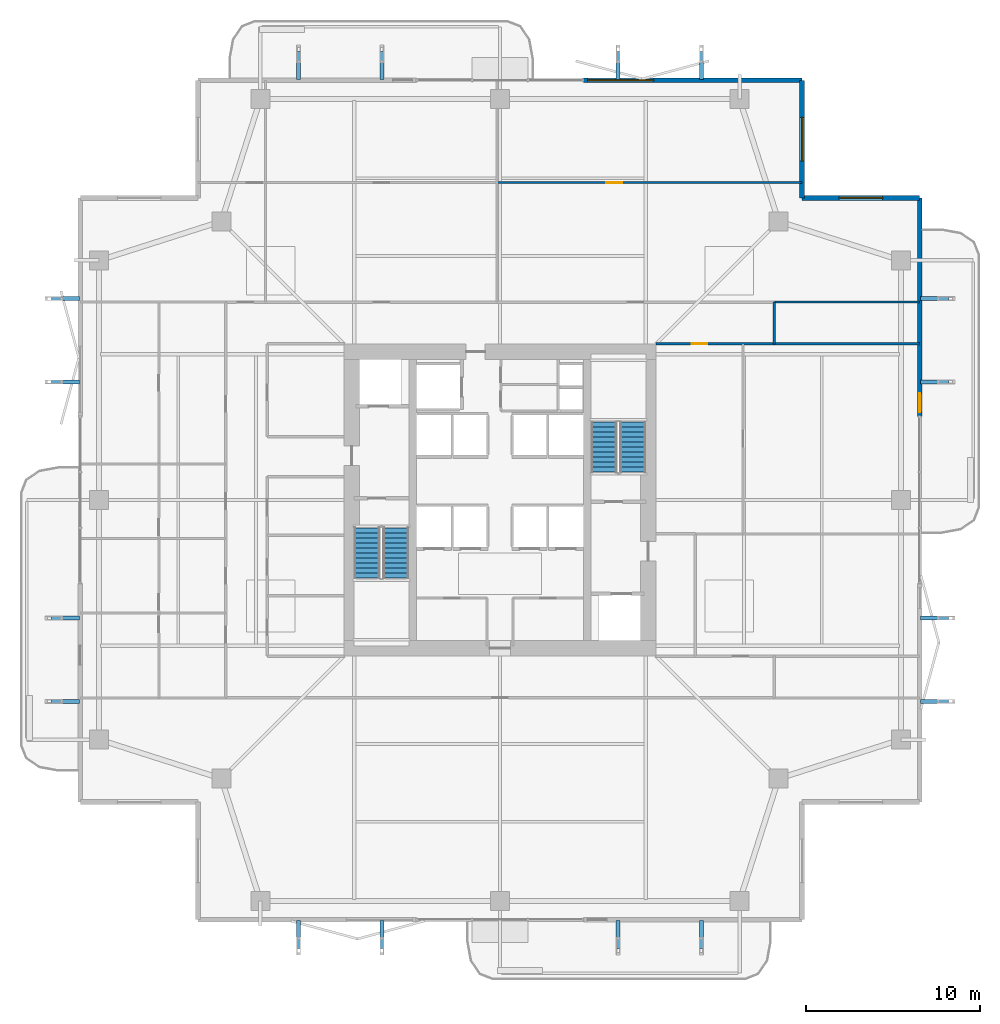
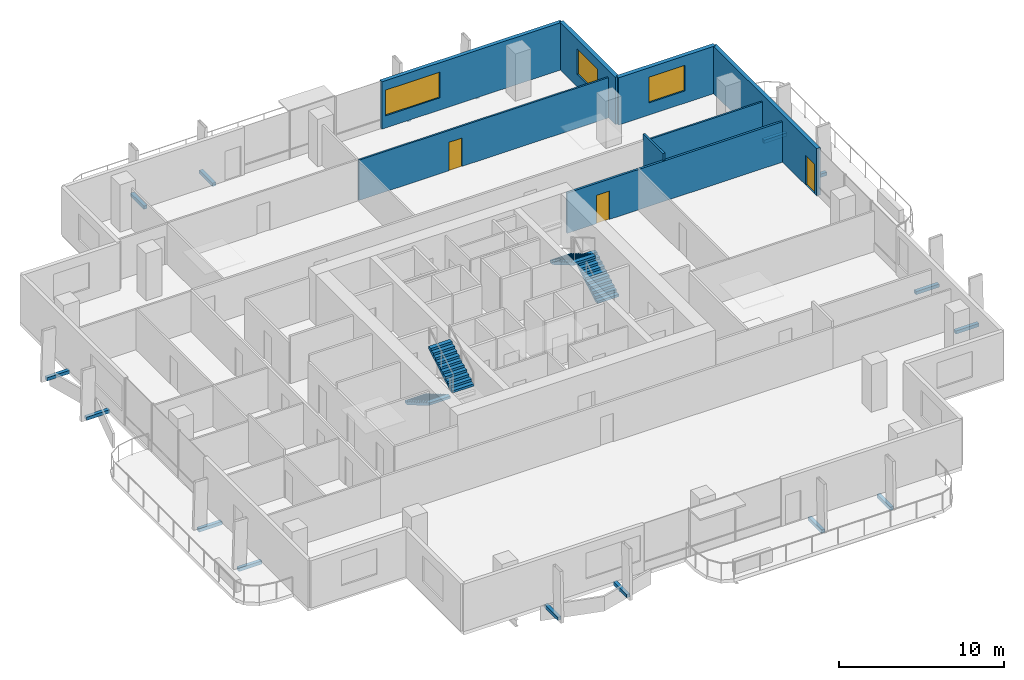
# One storey, part 21 of 25: 16 discrete accessories, 8 walls, 4 stair flights, 3 doors, 3 windows, 6 openings, 2 elements without a shape of their own.
"""IFC4 building model written with IfcOpenShell, lengths in metres."""

from ifc_helpers import new_model, si_unit, direction, frame, frame_2d, origin, origin_2d, place, context, subcontext, project, spatial, polyline, rectangle, outline, extrude, material, layer, layer_set, type_object, element, fill, aggregate, save


model = new_model("IFC4")

# Units and contexts
model_context = context("Model", 3, precision=1e-05, world=origin(), true_north=direction((0.0, 1.0)))
body_context = subcontext(model_context, "Body", "Model", "MODEL_VIEW")
ifc_project = project(units=[si_unit("LENGTHUNIT", "METRE"), si_unit("AREAUNIT", "SQUARE_METRE"), si_unit("VOLUMEUNIT", "CUBIC_METRE"), si_unit("PLANEANGLEUNIT", "RADIAN"), si_unit("MASSUNIT", "GRAM", prefix="KILO")], contexts=[model_context])

# Site, building, storey
site_placement = place(None, origin())
site = spatial("IfcSite", under=ifc_project, at=site_placement, CompositionType="ELEMENT")
building_placement = place(site_placement, origin())
building = spatial("IfcBuilding", under=site, at=building_placement, Name="Belovzor Exchange Tower", CompositionType="ELEMENT")
storey_placement = place(building_placement, frame((0.0, 0.0, 153.300048828125)))
storey = spatial("IfcBuildingStorey", under=building, at=storey_placement, Name="L37", CompositionType="ELEMENT", Elevation=153.300048828125)

# Wall, opening, door
ifc_material_1 = material(Name="Acoustic Plasterboard on Galvanised Studs", Category="gypsum")
ifc_layer_1 = layer(ifc_material_1, 0.1201171875)
ifc_layer_set_1 = layer_set([ifc_layer_1], Name="Acoustic Plasterboard on Galvanised Studs")
wall_type_1 = type_object("IfcWallType", Name="Acoustic Double-Stud Partition Wall 120", PredefinedType="PARTITIONING", material=ifc_layer_set_1)
wall_1_placement = place(storey_placement, frame((28.631103515625, 47.0830078125, 0.0), z_axis=(0.0, 0.0, 1.0), x_axis=(1.0, 0.0, 0.0)))
wall_1 = element("IfcWall", 1, at=wall_1_placement, inside=storey, type_object=wall_type_1, Name="W-P120 Partition Wall W-L37-NHDIV-2", PredefinedType="PARTITIONING", context=body_context, shape_type="SweptSolid", body=[
    extrude(rectangle(XDim=17.56884765625, YDim=0.1201171875, at=frame_2d((8.784423828125, 0.0))), origin(), (0.0, 0.0, 1.0), 2.97998046875),
])
opening_1_placement = place(wall_1_placement, frame((6.301025390625, 0.0, 0.0)))
opening_1 = element("IfcOpeningElement", 2, at=opening_1_placement, cuts=wall_1, Name="Opening D-INT-090", PredefinedType="OPENING", context=body_context, shape_type="SweptSolid", body=[
    extrude(rectangle(XDim=0.89990234375, YDim=2.10009765625, at=frame_2d((0.449951171875, 1.050048828125))), frame((0.0, 0.070068359375, 0.0), z_axis=(0.0, -1.0, 0.0), x_axis=(1.0, 0.0, 0.0)), (0.0, 0.0, 1.0), 0.14013671875),
])
ifc_material_2 = material(Name="Veneered Hardwood Acoustic Leaf", Category="wood")
door_type_1 = type_object("IfcDoorType", Name="Trading Suite Acoustic Single Door 900x2100", OperationType="NOTDEFINED", PredefinedType="DOOR", material=ifc_material_2)
door_1_placement = place(opening_1_placement, origin())
door_1 = element("IfcDoor", 3, at=door_1_placement, inside=storey, type_object=door_type_1, Name="D-INT-090 Trading Suite Acoustic Single Door 900x2100", OperationType="SINGLE_SWING_RIGHT", OverallHeight=2.10009765625, OverallWidth=0.89990234375, PredefinedType="DOOR", context=body_context, shape_type="SweptSolid", body=[
    extrude(rectangle(XDim=0.89990234375, YDim=2.10009765625, at=frame_2d((0.449951171875, 1.050048828125))), frame((0.0, 0.02490234375, 0.0), z_axis=(0.0, -1.0, 0.0), x_axis=(1.0, 0.0, 0.0)), (0.0, 0.0, 1.0), 0.050048828125),
])
fill(opening_1, door_1)

# Walls
wall_2_placement = place(storey_placement, frame((44.60009765625, 40.199951171875, 0.0), z_axis=(0.0, 0.0, 1.0), x_axis=(1.0, 0.0, 0.0)))
element("IfcWall", 4, at=wall_2_placement, inside=storey, type_object=wall_type_1, Name="W-P120 Partition Wall W-L37-END-NE", PredefinedType="PARTITIONING", context=body_context, shape_type="SweptSolid", body=[
    extrude(rectangle(XDim=8.369873046875, YDim=0.1201171875, at=frame_2d((4.18505859375, 0.0))), origin(), (0.0, 0.0, 1.0), 2.97998046875),
])
ifc_material_3 = material(Name="Fire-Rated Gypsum Block and Mineral Wool", Category="gypsum")
ifc_layer_2 = layer(ifc_material_3, 0.14990234375)
ifc_layer_set_2 = layer_set([ifc_layer_2], Name="Fire-Rated Gypsum Block and Mineral Wool")
wall_type_2 = type_object("IfcWallType", Name="Fire-Rated Gypsum Block Corridor Wall 150", PredefinedType="PARTITIONING", material=ifc_layer_set_2)
wall_3_placement = place(storey_placement, frame((44.60009765625, 37.800048828125, 0.0), z_axis=(0.0, 0.0, 1.0), x_axis=(0.0, 1.0, 0.0)))
element("IfcWall", 5, at=wall_3_placement, inside=storey, type_object=wall_type_2, Name="W-P150 Partition Wall W-L37-END-EN", PredefinedType="PARTITIONING", context=body_context, shape_type="SweptSolid", body=[
    extrude(rectangle(XDim=2.39990234375, YDim=0.14990234375, at=frame_2d((1.199951171875, 0.0))), origin(), (0.0, 0.0, 1.0), 3.494873046875),
])

# Wall, opening, door
wall_4_placement = place(storey_placement, frame((37.800048828125, 37.800048828125, 0.0), z_axis=(0.0, 0.0, 1.0), x_axis=(1.0, 0.0, 0.0)))
wall_4 = element("IfcWall", 6, at=wall_4_placement, inside=storey, type_object=wall_type_2, Name="W-P150 Partition Wall W-L37-CN-IN", PredefinedType="PARTITIONING", context=body_context, shape_type="SweptSolid", body=[
    extrude(rectangle(XDim=15.169921875, YDim=0.14990234375, at=frame_2d((7.5849609375, 0.0))), origin(), (0.0, 0.0, 1.0), 2.97998046875),
])
opening_2_placement = place(wall_4_placement, frame((2.050048828125, 0.0, 0.0)))
opening_2 = element("IfcOpeningElement", 7, at=opening_2_placement, cuts=wall_4, Name="Opening D-INT-090", PredefinedType="OPENING", context=body_context, shape_type="SweptSolid", body=[
    extrude(rectangle(XDim=0.89990234375, YDim=2.10009765625, at=frame_2d((0.449951171875, 1.050048828125))), frame((0.0, 0.0849609375, 0.0), z_axis=(0.0, -1.0, 0.0), x_axis=(1.0, 0.0, 0.0)), (0.0, 0.0, 1.0), 0.169921875),
])
door_2_placement = place(opening_2_placement, origin())
door_2 = element("IfcDoor", 8, at=door_2_placement, inside=storey, type_object=door_type_1, Name="D-INT-090 Trading Suite Acoustic Single Door 900x2100", OperationType="SINGLE_SWING_RIGHT", OverallHeight=2.10009765625, OverallWidth=0.89990234375, PredefinedType="DOOR", context=body_context, shape_type="SweptSolid", body=[
    extrude(rectangle(XDim=0.89990234375, YDim=2.10009765625, at=frame_2d((0.449951171875, 1.050048828125))), frame((0.0, 0.02490234375, 0.0), z_axis=(0.0, -1.0, 0.0), x_axis=(1.0, 0.0, 0.0)), (0.0, 0.0, 1.0), 0.050048828125),
])
fill(opening_2, door_2)

# Wall, opening, window
ifc_material_4 = material(Name="Precast concrete C40/50", Category="concrete")
ifc_layer_3 = layer(ifc_material_4, 0.280029296875)
ifc_layer_set_3 = layer_set([ifc_layer_3], Name="Precast concrete C40/50")
wall_type_3 = type_object("IfcWallType", Name="Precast Concrete Notched Corner Frame Wall 280", PredefinedType="SOLIDWALL", material=ifc_layer_set_3)
wall_5_placement = place(storey_placement, frame((46.199951171875, 52.969970703125, 0.0), z_axis=(0.0, 0.0, 1.0), x_axis=(0.0, -1.0, 0.0)))
wall_5 = element("IfcWall", 9, at=wall_5_placement, inside=storey, type_object=wall_type_3, Name="W-CRN280 Precast Concrete Notched Corner Frame Wall 280 L37", PredefinedType="SOLIDWALL", context=body_context, shape_type="SweptSolid", body=[
    extrude(rectangle(XDim=6.77001953125, YDim=0.280029296875, at=frame_2d((3.385009765625, 0.0))), origin(), (0.0, 0.0, 1.0), 3.494873046875),
])
opening_3_placement = place(wall_5_placement, frame((2.135009765625, 0.0, 0.89990234375)))
opening_3 = element("IfcOpeningElement", 10, at=opening_3_placement, cuts=wall_5, Name="Opening WN-CRN250", PredefinedType="OPENING", context=body_context, shape_type="SweptSolid", body=[
    extrude(rectangle(XDim=2.5, YDim=1.89990234375, at=frame_2d((1.25, 0.949951171875))), frame((0.0, 0.14990234375, 0.0), z_axis=(0.0, -1.0, 0.0), x_axis=(1.0, 0.0, 0.0)), (0.0, 0.0, 1.0), 0.300048828125),
])
ifc_material_5 = material(Name="Thermally Broken Aluminium and Triple Glazing", Category="aluminium")
window_type_1 = type_object("IfcWindowType", Name="Streamline Moderne Corner Wrap Ribbon Window 2500x1900", PartitioningType="SINGLE_PANEL", PredefinedType="WINDOW", material=ifc_material_5)
window_1_placement = place(opening_3_placement, origin())
window_1 = element("IfcWindow", 11, at=window_1_placement, inside=storey, type_object=window_type_1, Name="WN-CRN250 Streamline Moderne Corner Wrap Ribbon Window 2500x1900", OverallHeight=1.89990234375, OverallWidth=2.5, PartitioningType="SINGLE_PANEL", PredefinedType="WINDOW", context=body_context, shape_type="SweptSolid", body=[
    extrude(rectangle(XDim=2.5, YDim=1.89990234375, at=frame_2d((1.25, 0.949951171875))), frame((0.0, 0.030029296875, 0.0), z_axis=(0.0, -1.0, 0.0), x_axis=(1.0, 0.0, 0.0)), (0.0, 0.0, 1.0), 0.06005859375),
])
fill(opening_3, window_1)

wall_6_placement = place(storey_placement, frame((46.199951171875, 46.199951171875, 0.0), z_axis=(0.0, 0.0, 1.0), x_axis=(1.0, 0.0, 0.0)))
wall_6 = element("IfcWall", 12, at=wall_6_placement, inside=storey, type_object=wall_type_3, Name="W-CRN280 Precast Concrete Notched Corner Frame Wall 280 L37", PredefinedType="SOLIDWALL", context=body_context, shape_type="SweptSolid", body=[
    extrude(rectangle(XDim=6.77001953125, YDim=0.280029296875, at=frame_2d((3.385009765625, 0.0))), origin(), (0.0, 0.0, 1.0), 3.494873046875),
])
opening_4_placement = place(wall_6_placement, frame((2.135009765625, 0.0, 0.89990234375)))
opening_4 = element("IfcOpeningElement", 13, at=opening_4_placement, cuts=wall_6, Name="Opening WN-CRN250", PredefinedType="OPENING", context=body_context, shape_type="SweptSolid", body=[
    extrude(rectangle(XDim=2.5, YDim=1.89990234375, at=frame_2d((1.25, 0.949951171875))), frame((0.0, 0.14990234375, 0.0), z_axis=(0.0, -1.0, 0.0), x_axis=(1.0, 0.0, 0.0)), (0.0, 0.0, 1.0), 0.300048828125),
])
window_2_placement = place(opening_4_placement, origin())
window_2 = element("IfcWindow", 14, at=window_2_placement, inside=storey, type_object=window_type_1, Name="WN-CRN250 Streamline Moderne Corner Wrap Ribbon Window 2500x1900", OverallHeight=1.89990234375, OverallWidth=2.5, PartitioningType="SINGLE_PANEL", PredefinedType="WINDOW", context=body_context, shape_type="SweptSolid", body=[
    extrude(rectangle(XDim=2.5, YDim=1.89990234375, at=frame_2d((1.25, 0.949951171875))), frame((0.0, 0.030029296875, 0.0), z_axis=(0.0, -1.0, 0.0), x_axis=(1.0, 0.0, 0.0)), (0.0, 0.0, 1.0), 0.06005859375),
])
fill(opening_4, window_2)

ifc_material_6 = material(Name="Precast concrete C40/50", Category="concrete")
ifc_layer_4 = layer(ifc_material_6, 0.260009765625)
ifc_layer_set_4 = layer_set([ifc_layer_4], Name="Precast concrete C40/50")
wall_type_4 = type_object("IfcWallType", Name="Precast Concrete Perimeter Loggia Frame Wall 260", PredefinedType="SOLIDWALL", material=ifc_layer_set_4)
wall_7_placement = place(storey_placement, frame((33.60009765625, 52.969970703125, 0.0), z_axis=(0.0, 0.0, 1.0), x_axis=(1.0, 0.0, 0.0)))
wall_7 = element("IfcWall", 15, at=wall_7_placement, inside=storey, type_object=wall_type_4, Name="W-EXT260 Precast Concrete Perimeter Loggia Frame Wall 260 L37", PredefinedType="SOLIDWALL", context=body_context, shape_type="SweptSolid", body=[
    extrude(rectangle(XDim=12.599853515625, YDim=0.260009765625, at=frame_2d((6.2998046875, 0.0))), origin(), (0.0, 0.0, 1.0), 3.494873046875),
])
opening_5_placement = place(wall_7_placement, frame((0.25, 0.0, 0.89990234375)))
opening_5 = element("IfcOpeningElement", 16, at=opening_5_placement, cuts=wall_7, Name="Opening WN-RIB380", PredefinedType="OPENING", context=body_context, shape_type="SweptSolid", body=[
    extrude(rectangle(XDim=3.800048828125, YDim=1.89990234375, at=frame_2d((1.89990234375, 0.949951171875))), frame((0.0, 0.139892578125, 0.0), z_axis=(0.0, -1.0, 0.0), x_axis=(1.0, 0.0, 0.0)), (0.0, 0.0, 1.0), 0.280029296875),
])
ifc_material_7 = material(Name="Thermally Broken Aluminium and Triple Glazing", Category="aluminium")
window_type_2 = type_object("IfcWindowType", Name="Streamline Moderne Horizontal Ribbon Window 3800x1900", PartitioningType="SINGLE_PANEL", PredefinedType="WINDOW", material=ifc_material_7)
window_3_placement = place(opening_5_placement, origin())
window_3 = element("IfcWindow", 17, at=window_3_placement, inside=storey, type_object=window_type_2, Name="WN-RIB380 Streamline Moderne Horizontal Ribbon Window 3800x1900", OverallHeight=1.89990234375, OverallWidth=3.800048828125, PartitioningType="SINGLE_PANEL", PredefinedType="WINDOW", context=body_context, shape_type="SweptSolid", body=[
    extrude(rectangle(XDim=3.800048828125, YDim=1.89990234375, at=frame_2d((1.89990234375, 0.949951171875))), frame((0.0, 0.030029296875, 0.0), z_axis=(0.0, -1.0, 0.0), x_axis=(1.0, 0.0, 0.0)), (0.0, 0.0, 1.0), 0.06005859375),
])
fill(opening_5, window_3)

# Wall, opening, door
wall_8_placement = place(storey_placement, frame((52.969970703125, 46.199951171875, 0.0), z_axis=(0.0, 0.0, 1.0), x_axis=(0.0, -1.0, 0.0)))
wall_8 = element("IfcWall", 18, at=wall_8_placement, inside=storey, type_object=wall_type_4, Name="W-EXT260 Precast Concrete Perimeter Loggia Frame Wall 260 L37", PredefinedType="SOLIDWALL", context=body_context, shape_type="SweptSolid", body=[
    extrude(rectangle(XDim=12.599853515625, YDim=0.260009765625, at=frame_2d((6.2998046875, 0.0))), origin(), (0.0, 0.0, 1.0), 3.494873046875),
])
opening_6_placement = place(wall_8_placement, frame((11.25, 0.0, 0.0)))
opening_6 = element("IfcOpeningElement", 19, at=opening_6_placement, cuts=wall_8, Name="Opening D-BAL110", PredefinedType="OPENING", context=body_context, shape_type="SweptSolid", body=[
    extrude(rectangle(XDim=1.10009765625, YDim=2.199951171875, at=frame_2d((0.550048828125, 1.10009765625))), frame((0.0, 0.139892578125, 0.0), z_axis=(0.0, -1.0, 0.0), x_axis=(1.0, 0.0, 0.0)), (0.0, 0.0, 1.0), 0.280029296875),
])
ifc_material_8 = material(Name="Thermally Broken Anodised Aluminium and Laminated Glass", Category="aluminium")
door_type_2 = type_object("IfcDoorType", Name="Planted Loggia Terrace Glazed Door 1100x2200", OperationType="SINGLE_SWING_LEFT", PredefinedType="DOOR", material=ifc_material_8)
door_3_placement = place(opening_6_placement, origin())
door_3 = element("IfcDoor", 20, at=door_3_placement, inside=storey, type_object=door_type_2, Name="D-BAL110 Balcony Terrace Door L37 E", OperationType="SINGLE_SWING_LEFT", OverallHeight=2.199951171875, OverallWidth=1.10009765625, PredefinedType="DOOR", context=body_context, shape_type="SweptSolid", body=[
    extrude(rectangle(XDim=1.10009765625, YDim=2.199951171875, at=frame_2d((0.550048828125, 1.10009765625))), frame((0.0, 0.02490234375, 0.0), z_axis=(0.0, -1.0, 0.0), x_axis=(1.0, 0.0, 0.0)), (0.0, 0.0, 1.0), 0.050048828125),
])
fill(opening_6, door_3)

# Stair, stair flights
ifc_material_9 = material(Name="Concrete C40/50", Category="concrete")
stair_type = type_object("IfcStairType", Name="Reinforced Concrete Dogleg Escape Stair 1350", PredefinedType="HALF_TURN_STAIR", material=ifc_material_9)
stair_1_placement = place(storey_placement, origin())
stair_1 = element("IfcStair", 21, at=stair_1_placement, inside=storey, type_object=stair_type, Name="L37 ST-1", PredefinedType="HALF_TURN_STAIR")
ifc_material_10 = material(Name="Concrete C40/50", Category="concrete")
stair_flight_type = type_object("IfcStairFlightType", Name="Reinforced Concrete Stair Flight 1350", PredefinedType="STRAIGHT", material=ifc_material_10)
stair_flight_1_placement = place(storey_placement, frame((21.14990234375, 27.199951171875, 0.0), z_axis=(0.0, 0.0, 1.0), x_axis=(0.0, -1.0, 0.0)))
stair_flight_1 = element("IfcStairFlight", 22, at=stair_flight_1_placement, type_object=stair_flight_type, Name="ST-1 flight 1", NumberOfRisers=11, NumberOfTreads=10, PredefinedType="STRAIGHT", RiserHeight=0.170454545, TreadLength=0.29, context=body_context, shape_type="SweptSolid", body=[
    extrude(outline(polyline([(0.0, 0.0), (0.0, 0.17041015625), (0.2900390625, 0.17041015625), (0.2900390625, 0.3408203125), (0.580078125, 0.3408203125), (0.580078125, 0.511474609375), (0.8701171875, 0.511474609375), (0.8701171875, 0.681884765625), (1.159912109375, 0.681884765625), (1.159912109375, 0.852294921875), (1.449951171875, 0.852294921875), (1.449951171875, 1.022705078125), (1.739990234375, 1.022705078125), (1.739990234375, 1.193115234375), (2.030029296875, 1.193115234375), (2.030029296875, 1.363525390625), (2.320068359375, 1.363525390625), (2.320068359375, 1.5341796875), (2.610107421875, 1.5341796875), (2.610107421875, 1.70458984375), (2.89990234375, 1.70458984375), (2.89990234375, 1.875), (2.89990234375, 1.53076171875), (0.2958984375, 0.0), (0.0, 0.0)])), frame((0.0, 0.75, 0.0), z_axis=(0.0, -1.0, 0.0), x_axis=(1.0, 0.0, 0.0)), (0.0, 0.0, 1.0), 1.5),
])
stair_flight_2_placement = place(storey_placement, frame((22.800048828125, 24.300048828125, 1.875), z_axis=(0.0, 0.0, 1.0), x_axis=(0.0, 1.0, 0.0)))
stair_flight_2 = element("IfcStairFlight", 23, at=stair_flight_2_placement, type_object=stair_flight_type, Name="ST-1 flight 2", NumberOfRisers=11, NumberOfTreads=10, PredefinedType="STRAIGHT", RiserHeight=0.170454545, TreadLength=0.29, context=body_context, shape_type="SweptSolid", body=[
    extrude(outline(polyline([(0.0, 0.0), (0.0, 0.17041015625), (0.2900390625, 0.17041015625), (0.2900390625, 0.3408203125), (0.580078125, 0.3408203125), (0.580078125, 0.511474609375), (0.8701171875, 0.511474609375), (0.8701171875, 0.681884765625), (1.159912109375, 0.681884765625), (1.159912109375, 0.852294921875), (1.449951171875, 0.852294921875), (1.449951171875, 1.022705078125), (1.739990234375, 1.022705078125), (1.739990234375, 1.193115234375), (2.030029296875, 1.193115234375), (2.030029296875, 1.363525390625), (2.320068359375, 1.363525390625), (2.320068359375, 1.5341796875), (2.610107421875, 1.5341796875), (2.610107421875, 1.70458984375), (2.89990234375, 1.70458984375), (2.89990234375, 1.875), (2.89990234375, 1.53076171875), (0.2958984375, 0.0), (0.0, 0.0)])), frame((0.0, 0.75, 0.0), z_axis=(0.0, -1.0, 0.0), x_axis=(1.0, 0.0, 0.0)), (0.0, 0.0, 1.0), 1.5),
])
aggregate(stair_1, [stair_flight_1, stair_flight_2])

stair_2_placement = place(storey_placement, origin())
stair_2 = element("IfcStair", 24, at=stair_2_placement, inside=storey, type_object=stair_type, Name="L37 ST-2", PredefinedType="HALF_TURN_STAIR")
stair_flight_3_placement = place(storey_placement, frame((36.449951171875, 30.39990234375, 0.0), z_axis=(0.0, 0.0, 1.0), x_axis=(0.0, 1.0, 0.0)))
stair_flight_3 = element("IfcStairFlight", 25, at=stair_flight_3_placement, type_object=stair_flight_type, Name="ST-2 flight 1", NumberOfRisers=11, NumberOfTreads=10, PredefinedType="STRAIGHT", RiserHeight=0.170454545, TreadLength=0.29, context=body_context, shape_type="SweptSolid", body=[
    extrude(outline(polyline([(0.0, 0.0), (0.0, 0.17041015625), (0.2900390625, 0.17041015625), (0.2900390625, 0.3408203125), (0.580078125, 0.3408203125), (0.580078125, 0.511474609375), (0.8701171875, 0.511474609375), (0.8701171875, 0.681884765625), (1.159912109375, 0.681884765625), (1.159912109375, 0.852294921875), (1.449951171875, 0.852294921875), (1.449951171875, 1.022705078125), (1.739990234375, 1.022705078125), (1.739990234375, 1.193115234375), (2.030029296875, 1.193115234375), (2.030029296875, 1.363525390625), (2.320068359375, 1.363525390625), (2.320068359375, 1.5341796875), (2.610107421875, 1.5341796875), (2.610107421875, 1.70458984375), (2.89990234375, 1.70458984375), (2.89990234375, 1.875), (2.89990234375, 1.53076171875), (0.2958984375, 0.0), (0.0, 0.0)])), frame((0.0, 0.75, 0.0), z_axis=(0.0, -1.0, 0.0), x_axis=(1.0, 0.0, 0.0)), (0.0, 0.0, 1.0), 1.5),
])
stair_flight_4_placement = place(storey_placement, frame((34.800048828125, 33.300048828125, 1.875), z_axis=(0.0, 0.0, 1.0), x_axis=(0.0, -1.0, 0.0)))
stair_flight_4 = element("IfcStairFlight", 26, at=stair_flight_4_placement, type_object=stair_flight_type, Name="ST-2 flight 2", NumberOfRisers=11, NumberOfTreads=10, PredefinedType="STRAIGHT", RiserHeight=0.170454545, TreadLength=0.29, context=body_context, shape_type="SweptSolid", body=[
    extrude(outline(polyline([(0.0, 0.0), (0.0, 0.17041015625), (0.2900390625, 0.17041015625), (0.2900390625, 0.3408203125), (0.580078125, 0.3408203125), (0.580078125, 0.511474609375), (0.8701171875, 0.511474609375), (0.8701171875, 0.681884765625), (1.159912109375, 0.681884765625), (1.159912109375, 0.852294921875), (1.449951171875, 0.852294921875), (1.449951171875, 1.022705078125), (1.739990234375, 1.022705078125), (1.739990234375, 1.193115234375), (2.030029296875, 1.193115234375), (2.030029296875, 1.363525390625), (2.320068359375, 1.363525390625), (2.320068359375, 1.5341796875), (2.610107421875, 1.5341796875), (2.610107421875, 1.70458984375), (2.89990234375, 1.70458984375), (2.89990234375, 1.875), (2.89990234375, 1.53076171875), (0.2958984375, 0.0), (0.0, 0.0)])), frame((0.0, 0.75, 0.0), z_axis=(0.0, -1.0, 0.0), x_axis=(1.0, 0.0, 0.0)), (0.0, 0.0, 1.0), 1.5),
])
aggregate(stair_2, [stair_flight_3, stair_flight_4])

# Discrete accessories
ifc_material_11 = material(Name="Stainless Steel Grade 316", Category="steel")
ifc_layer_5 = layer(ifc_material_11, 0.179931640625)
ifc_layer_set_5 = layer_set([ifc_layer_5], Name="Stainless Steel Grade 316")
discrete_accessory_type = type_object("IfcDiscreteAccessoryType", Name="Stainless Steel Facade Outrigger Fixing Bracket", PredefinedType="BRACKET", material=ifc_layer_set_5)
for number, where, z_axis, x_axis, name in (
    (27, (17.199951171875, 3.77392578125, -0.2470703125), (0.0, 0.0, 1.0), (0.0, 1.0, 0.0), "BRK-FIN1 Sweeping Fin Outrigger Bracket L37 S1"),
    (28, (17.199951171875, 53.825927734375, -0.2470703125), (0.0, 0.0, 1.0), (0.0, 1.0, 0.0), "BRK-FIN1 Sweeping Fin Outrigger Bracket L37 N1"),
    (29, (3.77392578125, 17.199951171875, -0.2470703125), (0.0, 0.0, 1.0), (1.0, 0.0, 0.0), "BRK-FIN1 Sweeping Fin Outrigger Bracket L37 W1"),
    (30, (53.825927734375, 17.199951171875, -0.2470703125), (0.0, 0.0, 1.0), (1.0, 0.0, 0.0), "BRK-FIN1 Sweeping Fin Outrigger Bracket L37 E1"),
    (31, (22.0, 3.77392578125, -0.2470703125), (0.0, 0.0, 1.0), (0.0, 1.0, 0.0), "BRK-FIN1 Sweeping Fin Outrigger Bracket L37 S2"),
    (32, (22.0, 53.825927734375, -0.2470703125), (0.0, 0.0, 1.0), (0.0, 1.0, 0.0), "BRK-FIN1 Sweeping Fin Outrigger Bracket L37 N2"),
    (33, (3.77392578125, 22.0, -0.2470703125), (0.0, 0.0, 1.0), (1.0, 0.0, 0.0), "BRK-FIN1 Sweeping Fin Outrigger Bracket L37 W2"),
    (34, (53.825927734375, 22.0, -0.2470703125), (0.0, 0.0, 1.0), (1.0, 0.0, 0.0), "BRK-FIN1 Sweeping Fin Outrigger Bracket L37 E2"),
    (35, (35.60009765625, 3.77392578125, -0.2470703125), (0.0, 0.0, 1.0), (0.0, 1.0, 0.0), "BRK-FIN1 Sweeping Fin Outrigger Bracket L37 S3"),
    (36, (35.60009765625, 53.825927734375, -0.2470703125), (0.0, 0.0, 1.0), (0.0, 1.0, 0.0), "BRK-FIN1 Sweeping Fin Outrigger Bracket L37 N3"),
    (37, (3.77392578125, 35.60009765625, -0.2470703125), (0.0, 0.0, 1.0), (1.0, 0.0, 0.0), "BRK-FIN1 Sweeping Fin Outrigger Bracket L37 W3"),
    (38, (53.825927734375, 35.60009765625, -0.2470703125), (0.0, 0.0, 1.0), (1.0, 0.0, 0.0), "BRK-FIN1 Sweeping Fin Outrigger Bracket L37 E3"),
    (39, (40.39990234375, 3.77392578125, -0.2470703125), (0.0, 0.0, 1.0), (0.0, 1.0, 0.0), "BRK-FIN1 Sweeping Fin Outrigger Bracket L37 S4"),
    (40, (40.39990234375, 53.825927734375, -0.2470703125), (0.0, 0.0, 1.0), (0.0, 1.0, 0.0), "BRK-FIN1 Sweeping Fin Outrigger Bracket L37 N4"),
    (41, (3.77392578125, 40.39990234375, -0.2470703125), (0.0, 0.0, 1.0), (1.0, 0.0, 0.0), "BRK-FIN1 Sweeping Fin Outrigger Bracket L37 W4"),
    (42, (53.825927734375, 40.39990234375, -0.2470703125), (0.0, 0.0, 1.0), (1.0, 0.0, 0.0), "BRK-FIN1 Sweeping Fin Outrigger Bracket L37 E4"),
):
    element("IfcDiscreteAccessory", number, at=place(storey_placement, frame(where, z_axis=z_axis, x_axis=x_axis)), inside=storey, type_object=discrete_accessory_type, Name=name, PredefinedType="BRACKET", context=body_context, shape_type="SweptSolid", body=[
        extrude(rectangle(XDim=1.611083984375, YDim=0.239990234375, at=origin_2d()), origin(), (0.0, 0.0, 1.0), 0.239990234375),
    ])

save(model, "model.ifc")
